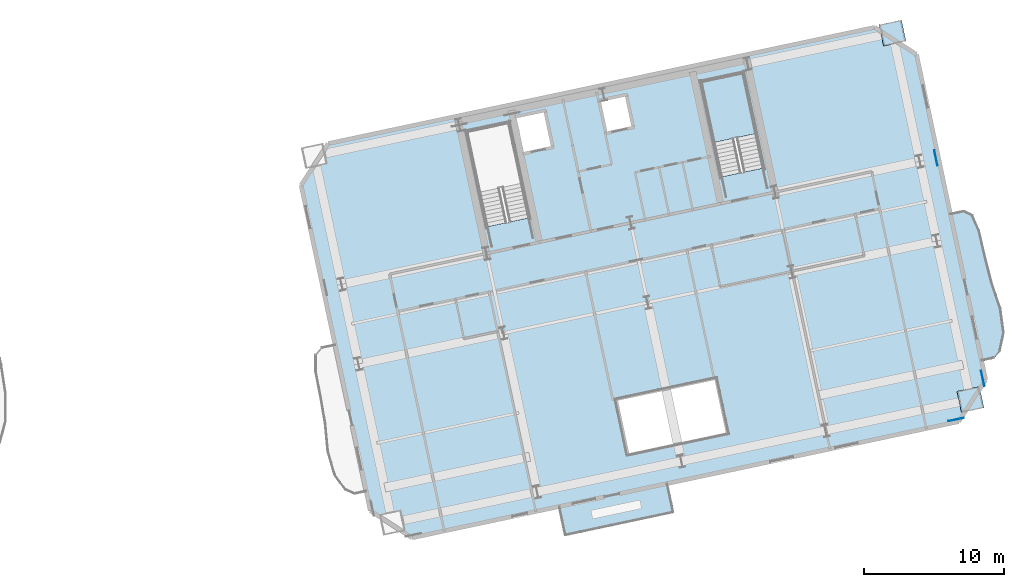
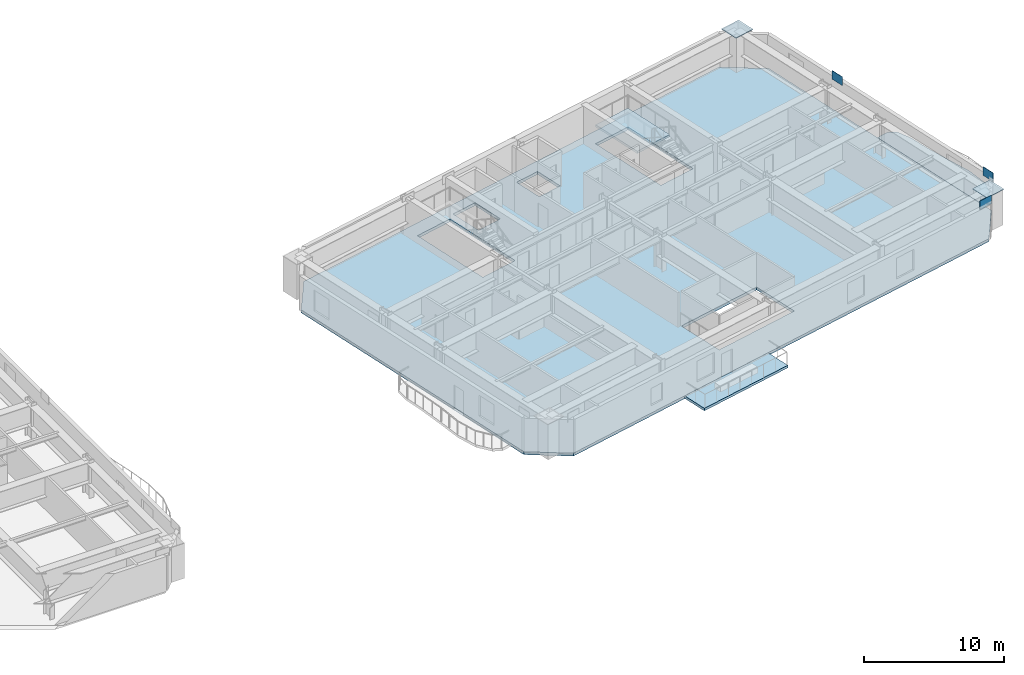
# One storey, part 6 of 16: 5 plates, 4 slabs, 1 element without a shape of its own.
"""IFC4 building model written with IfcOpenShell, lengths in metres."""

from ifc_helpers import new_model, si_unit, direction, frame, origin, origin_2d, place, context, subcontext, project, spatial, polyline, rectangle, outline, extrude, material, layer, layer_set, type_object, element, aggregate, save


model = new_model("IFC4")

# Units and contexts
model_context = context("Model", 3, precision=1e-05, world=origin(), true_north=direction((0.0, 1.0)))
body_context = subcontext(model_context, "Body", "Model", "MODEL_VIEW")
ifc_project = project(units=[si_unit("LENGTHUNIT", "METRE"), si_unit("AREAUNIT", "SQUARE_METRE"), si_unit("VOLUMEUNIT", "CUBIC_METRE"), si_unit("PLANEANGLEUNIT", "RADIAN"), si_unit("MASSUNIT", "GRAM", prefix="KILO")], contexts=[model_context])

# Site, building, storey
site_placement = place(None, origin())
site = spatial("IfcSite", under=ifc_project, at=site_placement, CompositionType="ELEMENT")
building_placement = place(site_placement, origin())
building = spatial("IfcBuilding", under=site, at=building_placement, Name="Haevon Station Towers", CompositionType="ELEMENT")
storey_placement = place(building_placement, frame((0.0, 0.0, 90.0)))
storey = spatial("IfcBuildingStorey", under=building, at=storey_placement, Name="L23", CompositionType="ELEMENT", Elevation=90.0)

# Plates
ifc_material_1 = material(Name="PL-FLG1", Category="steel")
ifc_layer_1 = layer(ifc_material_1, 0.044921875)
ifc_layer_set_1 = layer_set([ifc_layer_1], Name="PL-FLG1")
plate_type_1 = type_object("IfcPlateType", Name="PL-FLG1", PredefinedType="USERDEFINED", material=ifc_layer_set_1)
for number, where, z_axis, x_axis, name in (
    (1, (133.22021484375, 27.03125, 3.050048828125), (0.0, 0.0, 1.0), (0.978147600734, 0.207911690818, 0.0), "PL-CAP-T2-L23-05-01"),
    (2, (127.6689453125, 53.147705078125, 3.050048828125), (0.0, 0.0, 1.0), (0.978147600734, 0.207911690818, 0.0), "PL-CAP-T2-L23-05-04"),
):
    element("IfcPlate", number, at=place(storey_placement, frame(where, z_axis=z_axis, x_axis=x_axis)), inside=storey, type_object=plate_type_1, Name=name, ObjectType="FLANGE_PLATE", PredefinedType="USERDEFINED", context=body_context, shape_type="SweptSolid", body=[
        extrude(rectangle(XDim=1.639892578125, YDim=1.5400390625, at=origin_2d()), origin(), (0.0, 0.0, 1.0), 0.0400390625),
    ])
ifc_material_2 = material(Name="PL-SPL1", Category="steel")
ifc_layer_2 = layer(ifc_material_2, 0.031982421875)
ifc_layer_set_2 = layer_set([ifc_layer_2], Name="PL-SPL1")
plate_type_2 = type_object("IfcPlateType", Name="PL-SPL1", PredefinedType="USERDEFINED", material=ifc_layer_set_2)
for number, where, z_axis, x_axis, name in (
    (3, (132.19189453125, 25.616455078125, 2.77490234375), (0.0, 0.0, 1.0), (0.978147600734, 0.207911690818, 0.0), "PL-T2SPL-T02-S-4"),
    (4, (134.09423828125, 28.5458984375, 2.77490234375), (0.0, 0.0, 1.0), (-0.207911690818, 0.978147600734, 0.0), "PL-T2SPL-T02-E-3"),
    (5, (130.75732421875, 44.245361328125, 2.77490234375), (0.0, 0.0, 1.0), (-0.207911690818, 0.978147600734, 0.0), "PL-T2SPL-T02-E-4"),
):
    element("IfcPlate", number, at=place(storey_placement, frame(where, z_axis=z_axis, x_axis=x_axis)), inside=storey, type_object=plate_type_2, Name=name, ObjectType="SPLICE_PLATE", PredefinedType="USERDEFINED", context=body_context, shape_type="SweptSolid", body=[
        extrude(rectangle(XDim=1.10009765625, YDim=0.031982421875, at=origin_2d()), origin(), (0.0, 0.0, 1.0), 0.75),
    ])

# Slabs
ifc_material_3 = material(Name="Concrete C40/50", Category="concrete")
ifc_layer_3 = layer(ifc_material_3, 0.219970703125)
ifc_layer_set_3 = layer_set([ifc_layer_3], Name="Concrete C40/50")
slab_type_1 = type_object("IfcSlabType", Name="SL-BALC220", PredefinedType="FLOOR", material=ifc_layer_set_3)
slab_1_placement = place(storey_placement, frame((0.0, 0.0, -0.219970703125)))
element("IfcSlab", 6, at=slab_1_placement, inside=storey, type_object=slab_type_1, Name="Tower 2 L23 East SCALLOPED BALCONY", PredefinedType="FLOOR", context=body_context, shape_type="SweptSolid", body=[
    extrude(outline(polyline([(134.02587890625, 29.75830078125), (134.857177734375, 29.93505859375), (135.320068359375, 30.45361328125), (135.608154296875, 31.711669921875), (135.386962890625, 33.45556640625), (134.78173828125, 35.439453125), (134.217529296875, 37.432373046875), (133.814453125, 39.1376953125), (133.33154296875, 40.231689453125), (132.716796875, 40.521240234375), (131.7802734375, 40.322265625), (134.02587890625, 29.75830078125)])), origin(), (0.0, 0.0, 1.0), 0.219970703125),
])
slab_2_placement = place(storey_placement, frame((0.0, 0.0, -0.219970703125)))
element("IfcSlab", 7, at=slab_2_placement, inside=storey, type_object=slab_type_1, Name="Tower 2 L23 Planted Balcony Band", PredefinedType="FLOOR", context=body_context, shape_type="SweptSolid", body=[
    extrude(outline(polyline([(104.299560546875, 17.35693359375), (112.124755859375, 19.02001953125), (111.689208984375, 21.0693359375), (103.864013671875, 19.406005859375), (104.299560546875, 17.35693359375)])), origin(), (0.0, 0.0, 1.0), 0.219970703125),
])

# Stair, slab
stair_type = type_object("IfcStairType", Name="STR-DL1450", PredefinedType="USERDEFINED", material=ifc_material_3)
stair_placement = place(storey_placement, origin())
stair = element("IfcStair", 8, at=stair_placement, inside=storey, type_object=stair_type, Name="L23 Escape Stair ST4", ObjectType="TWO_RETURN_STAIR", PredefinedType="USERDEFINED")
ifc_layer_4 = layer(ifc_material_3, 0.199951171875)
ifc_layer_set_4 = layer_set([ifc_layer_4], Name="Concrete C40/50")
slab_type_2 = type_object("IfcSlabType", Name="SL-LND200", PredefinedType="LANDING", material=ifc_layer_set_4)
slab_3_placement = place(storey_placement, frame((0.0, 0.0, 1.449951171875)))
slab_3 = element("IfcSlab", 9, at=slab_3_placement, type_object=slab_type_2, Name="L23 ST4 Half Landing 1", PredefinedType="LANDING", context=body_context, shape_type="SweptSolid", body=[
    extrude(outline(polyline([(117.975341796875, 45.989990234375), (117.052978515625, 50.328857421875), (114.020751953125, 49.684326171875), (114.943115234375, 45.345458984375), (117.975341796875, 45.989990234375)])), origin(), (0.0, 0.0, 1.0), 0.199951171875),
])
aggregate(stair, [slab_3])

# Slab
ifc_layer_5 = layer(ifc_material_3, 0.25)
ifc_layer_set_5 = layer_set([ifc_layer_5], Name="Concrete C40/50")
slab_type_3 = type_object("IfcSlabType", Name="SL-TW250", PredefinedType="FLOOR", material=ifc_layer_set_5)
slab_4_placement = place(storey_placement, frame((0.0, 0.0, -0.25)))
element("IfcSlab", 10, at=slab_4_placement, inside=storey, type_object=slab_type_3, Name="SL-T2-L23", PredefinedType="FLOOR", context=body_context, shape_type="SweptSolid", body=[
    extrude(outline(polyline([(93.44580078125, 17.19677734375), (132.3759765625, 25.4716796875), (134.301513671875, 28.436767578125), (129.3740234375, 51.618896484375), (126.408935546875, 53.54443359375), (87.478759765625, 45.26953125), (85.552978515625, 42.304443359375), (90.48046875, 19.122314453125), (93.44580078125, 17.19677734375)]), holes=[polyline([(101.8095703125, 39.98974609375), (100.36572265625, 46.781982421875), (97.33349609375, 46.137451171875), (98.77734375, 39.34521484375), (101.8095703125, 39.98974609375)]), polyline([(118.496826171875, 43.53662109375), (117.052978515625, 50.328857421875), (114.020751953125, 49.684326171875), (115.464599609375, 42.89208984375), (118.496826171875, 43.53662109375)]), polyline([(101.43212890625, 44.554931640625), (103.486328125, 44.99169921875), (102.9248046875, 47.632568359375), (100.870849609375, 47.196044921875), (101.43212890625, 44.554931640625)]), polyline([(107.259521484375, 45.998046875), (109.2158203125, 46.413818359375), (108.716796875, 48.761474609375), (106.760498046875, 48.345703125), (107.259521484375, 45.998046875)]), polyline([(108.848876953125, 23.12890625), (115.8916015625, 24.625732421875), (115.06005859375, 28.538330078125), (108.017333984375, 27.04150390625), (108.848876953125, 23.12890625)])]), origin(), (0.0, 0.0, 1.0), 0.25),
])

save(model, "model.ifc")
